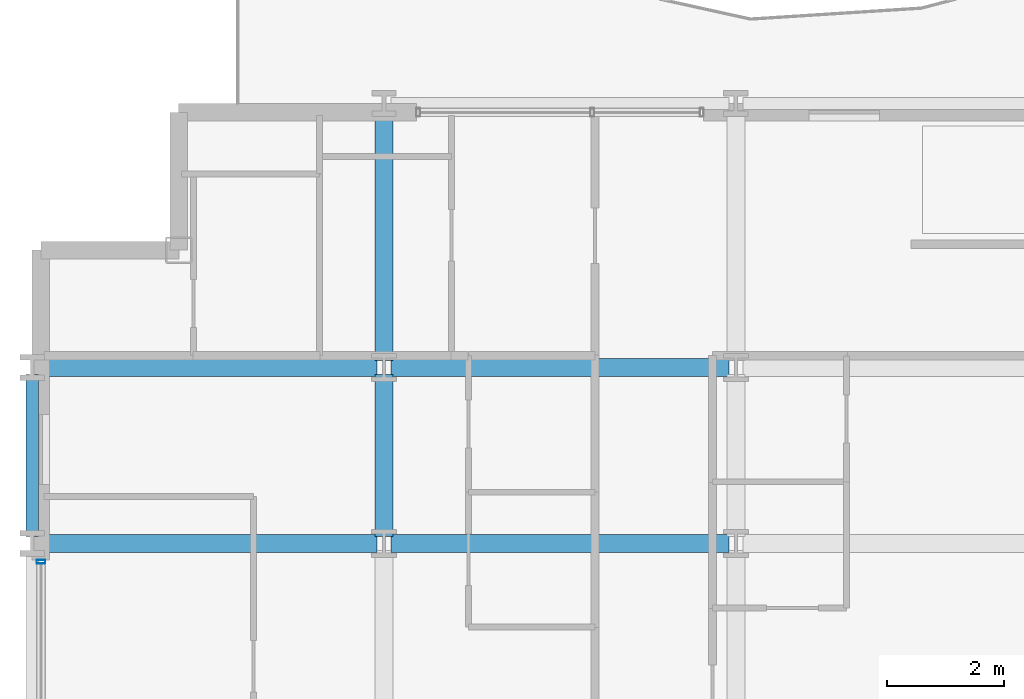
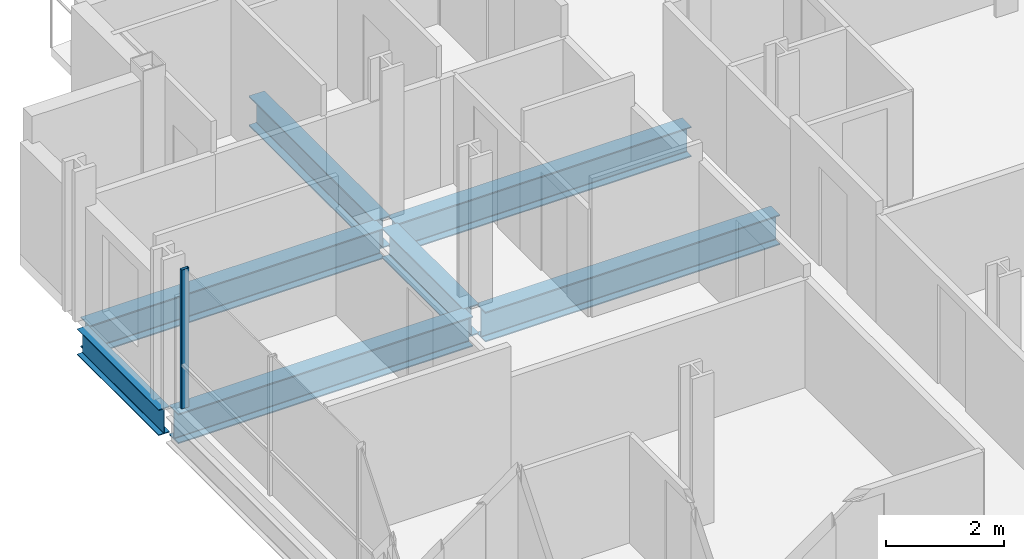
# One storey, part 7 of 41: 7 beams, 1 member, 1 element without a shape of its own.
"""IFC4 building model written with IfcOpenShell, lengths in metres."""

from ifc_helpers import new_model, si_unit, direction, frame, origin, origin_2d, place, context, subcontext, project, spatial, hollow_rectangle, i_section, extrude, material, layer, layer_set, material_profile, profile_set, type_object, element, aggregate, save


model = new_model("IFC4")

# Units and contexts
model_context = context("Model", 3, precision=1e-05, world=origin(), true_north=direction((0.0, 1.0)))
body_context = subcontext(model_context, "Body", "Model", "MODEL_VIEW")
ifc_project = project(units=[si_unit("LENGTHUNIT", "METRE"), si_unit("AREAUNIT", "SQUARE_METRE"), si_unit("VOLUMEUNIT", "CUBIC_METRE"), si_unit("PLANEANGLEUNIT", "RADIAN"), si_unit("MASSUNIT", "GRAM", prefix="KILO")], contexts=[model_context])

# Site, building, storey
site_placement = place(None, origin())
site = spatial("IfcSite", under=ifc_project, at=site_placement, CompositionType="ELEMENT")
building_placement = place(site_placement, origin())
building = spatial("IfcBuilding", under=site, at=building_placement, Name="Brevholm Reach", CompositionType="ELEMENT")
storey_placement = place(building_placement, frame((0.0, 0.0, 49.699951171875)))
storey = spatial("IfcBuildingStorey", under=building, at=storey_placement, Name="L13", CompositionType="ELEMENT", Elevation=49.699951171875)

# Beams
ifc_material_1 = material(Name="Structural Steel S355J2", Category="steel")
ifc_material_profile_1 = material_profile(ifc_material_1, i_section(OverallWidth=0.210693359375, OverallDepth=0.53955078125, WebThickness=0.01171875, FlangeThickness=0.018798828125, FilletRadius=0.0126953125, at=origin_2d()), Name="UKB 533x210x109")
ifc_profile_set_1 = profile_set([ifc_material_profile_1], Name="Structural Steel S355J2")
beam_type_1 = type_object("IfcBeamType", Name="BM-SP539", PredefinedType="SPANDREL", material=ifc_profile_set_1)
beam_1_placement = place(storey_placement, frame((0.0, 23.6201171875, -0.499755859375), z_axis=(0.0, 1.0, 0.0), x_axis=(-1.0, 0.0, 0.0)))
element("IfcBeam", 1, at=beam_1_placement, inside=storey, type_object=beam_type_1, Name="L13 SP-01B Framing Beam", PredefinedType="SPANDREL", context=body_context, shape_type="SweptSolid", body=[
    extrude(i_section(OverallWidth=0.210693359375, OverallDepth=0.53955078125, WebThickness=0.01171875, FlangeThickness=0.018798828125, FilletRadius=0.0126953125, at=origin_2d()), origin(), (0.0, 0.0, 1.0), 2.759765625),
])
ifc_material_2 = material(Name="Structural Steel S355J2", Category="steel")
ifc_material_profile_2 = material_profile(ifc_material_2, i_section(OverallWidth=0.30712890625, OverallDepth=0.6201171875, WebThickness=0.01416015625, FlangeThickness=0.023681640625, FilletRadius=0.0166015625, at=origin_2d()), Name="UKB 610x305x179")
ifc_profile_set_2 = profile_set([ifc_material_profile_2], Name="Structural Steel S355J2")
beam_type_2 = type_object("IfcBeamType", Name="BM-UKB610H", PredefinedType="USERDEFINED", material=ifc_profile_set_2)
for number, where, z_axis, x_axis, name in (
    (2, (0.1201171875, 23.5, -0.5400390625), (1.0, 0.0, 0.0), (0.0, 1.0, 0.0), "L13 G-06 Framing Beam"),
    (3, (6.1201171875, 23.5, -0.5400390625), (1.0, 0.0, 0.0), (0.0, 1.0, 0.0), "L13 G-06 Framing Beam"),
    (4, (0.1201171875, 26.5, -0.5400390625), (1.0, 0.0, 0.0), (0.0, 1.0, 0.0), "L13 G-06 Framing Beam"),
    (5, (6.1201171875, 26.5, -0.5400390625), (1.0, 0.0, 0.0), (0.0, 1.0, 0.0), "L13 G-06 Framing Beam"),
):
    element("IfcBeam", number, at=place(storey_placement, frame(where, z_axis=z_axis, x_axis=x_axis)), inside=storey, type_object=beam_type_2, Name=name, ObjectType="GIRDER", PredefinedType="USERDEFINED", context=body_context, shape_type="SweptSolid", body=[
        extrude(i_section(OverallWidth=0.30712890625, OverallDepth=0.6201171875, WebThickness=0.01416015625, FlangeThickness=0.023681640625, FilletRadius=0.0166015625, at=origin_2d()), origin(), (0.0, 0.0, 1.0), 5.759765625),
    ])
beam_2_placement = place(storey_placement, frame((6.0, 23.6201171875, -0.5400390625), z_axis=(0.0, 1.0, 0.0), x_axis=(-1.0, 0.0, 0.0)))
element("IfcBeam", 6, at=beam_2_placement, inside=storey, type_object=beam_type_2, Name="L13 G-06 Framing Beam", ObjectType="GIRDER", PredefinedType="USERDEFINED", context=body_context, shape_type="SweptSolid", body=[
    extrude(i_section(OverallWidth=0.30712890625, OverallDepth=0.6201171875, WebThickness=0.01416015625, FlangeThickness=0.023681640625, FilletRadius=0.0166015625, at=origin_2d()), origin(), (0.0, 0.0, 1.0), 2.759765625),
])
beam_3_placement = place(storey_placement, frame((6.0, 26.6201171875, -0.5400390625), z_axis=(0.0, 1.0, 0.0), x_axis=(-1.0, 0.0, 0.0)))
element("IfcBeam", 7, at=beam_3_placement, inside=storey, type_object=beam_type_2, Name="L13 G-06 Framing Beam", ObjectType="GIRDER", PredefinedType="USERDEFINED", context=body_context, shape_type="SweptSolid", body=[
    extrude(i_section(OverallWidth=0.30712890625, OverallDepth=0.6201171875, WebThickness=0.01416015625, FlangeThickness=0.023681640625, FilletRadius=0.0166015625, at=origin_2d()), origin(), (0.0, 0.0, 1.0), 4.259765625),
])

# Curtain wall, member
ifc_material_3 = material(Name="Dark Anodised Aluminium 6063-T6 and Solar-Control Glass", Category="aluminium")
ifc_layer = layer(ifc_material_3, 0.14990234375)
ifc_layer_set = layer_set([ifc_layer], Name="Dark Anodised Aluminium 6063-T6 and Solar-Control Glass")
curtain_wall_type = type_object("IfcCurtainWallType", Name="CW-01", PredefinedType="NOTDEFINED", material=ifc_layer_set)
curtain_wall_placement = place(storey_placement, origin())
curtain_wall = element("IfcCurtainWall", 8, at=curtain_wall_placement, inside=storey, type_object=curtain_wall_type, Name="L13 Curtain Wall CW-01", PredefinedType="NOTDEFINED")
ifc_material_4 = material(Name="Dark Anodised Aluminium 6063-T6", Category="aluminium")
ifc_material_profile_3 = material_profile(ifc_material_4, hollow_rectangle(XDim=0.06494140625, YDim=0.14990234375, WallThickness=0.0048828125, InnerFilletRadius=0.0048828125, OuterFilletRadius=0.010009765625, at=origin_2d()), Name="RHS 150x65x5")
ifc_profile_set_3 = profile_set([ifc_material_profile_3], Name="Dark Anodised Aluminium 6063-T6")
member_type = type_object("IfcMemberType", Name="CWM-150", PredefinedType="MULLION", material=ifc_profile_set_3)
member_placement = place(storey_placement, frame((0.14990234375, 23.1875, 0.0), z_axis=(0.0, 0.0, 1.0), x_axis=(0.0, -1.0, 0.0)))
member = element("IfcMember", 9, at=member_placement, type_object=member_type, Name="CM-150 Mullion 1", PredefinedType="MULLION", context=body_context, shape_type="SweptSolid", body=[
    extrude(hollow_rectangle(XDim=0.06494140625, YDim=0.14990234375, WallThickness=0.0048828125, InnerFilletRadius=0.0048828125, OuterFilletRadius=0.010009765625, at=origin_2d()), origin(), (0.0, 0.0, 1.0), 2.8701171875),
])
aggregate(curtain_wall, [member])

save(model, "model.ifc")
